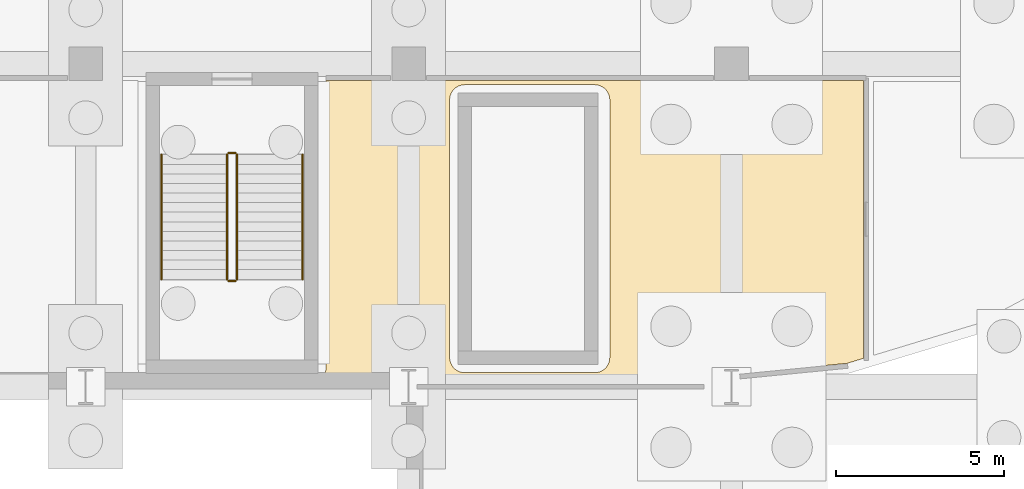
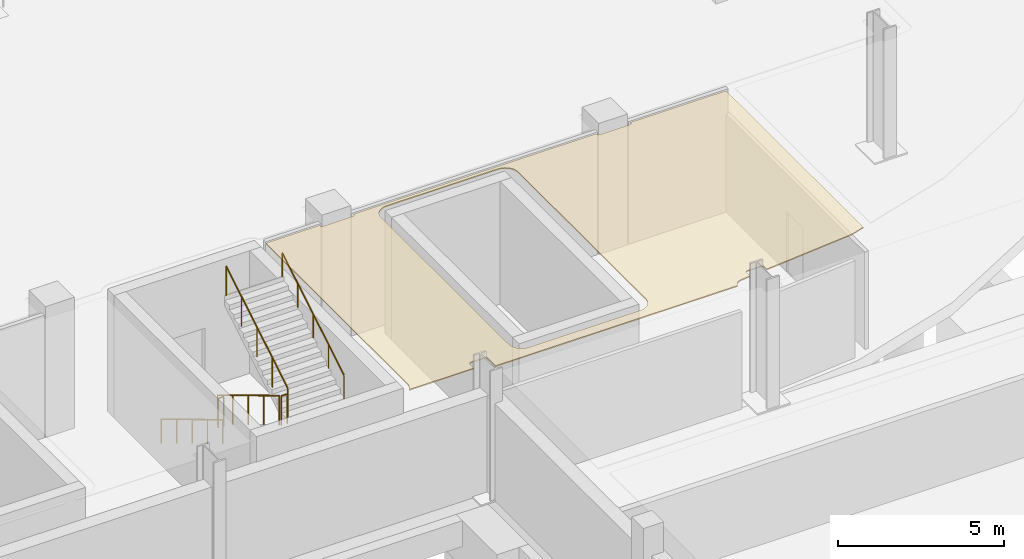
# One storey, part 55 of 67: 6 railings, 1 covering.
"""IFC4 building model written with IfcOpenShell, lengths in metres."""

from ifc_helpers import new_model, si_unit, direction, frame, origin, origin_2d, place, context, subcontext, project, spatial, polyline, circle, outline, extrude, material, layer, layer_set, type_object, element, save


model = new_model("IFC4")

# Units and contexts
model_context = context("Model", 3, precision=1e-05, world=origin(), true_north=direction((0.0, 1.0)))
body_context = subcontext(model_context, "Body", "Model", "MODEL_VIEW")
ifc_project = project(units=[si_unit("LENGTHUNIT", "METRE"), si_unit("AREAUNIT", "SQUARE_METRE"), si_unit("VOLUMEUNIT", "CUBIC_METRE"), si_unit("PLANEANGLEUNIT", "RADIAN"), si_unit("MASSUNIT", "GRAM", prefix="KILO")], contexts=[model_context])

# Site, building, storey
site_placement = place(None, origin())
site = spatial("IfcSite", under=ifc_project, at=site_placement, CompositionType="ELEMENT")
building_placement = place(site_placement, origin())
building = spatial("IfcBuilding", under=site, at=building_placement, Name="Caelomonte Colonnade Arena", CompositionType="ELEMENT")
storey_placement = place(building_placement, frame((0.0, 0.0, -4.800048828125)))
storey = spatial("IfcBuildingStorey", under=building, at=storey_placement, Name="B1", CompositionType="ELEMENT", Elevation=-4.800048828125)

# Covering
ifc_material_1 = material(Name="Perforated acoustic mineral-fibre ceiling")
ifc_layer = layer(ifc_material_1, 0.0400390625)
ifc_layer_set = layer_set([ifc_layer], Name="Perforated acoustic mineral-fibre ceiling")
covering_type = type_object("IfcCoveringType", Name="INT-CV-CEIL1", PredefinedType="CEILING", material=ifc_layer_set)
covering_placement = place(storey_placement, frame((0.0, 0.0, 4.420166015625)))
element("IfcCovering", 1, at=covering_placement, inside=storey, type_object=covering_type, Name="B1 Officials Locker Suite acoustic ceiling", PredefinedType="CEILING", context=body_context, shape_type="SweptSolid", body=[
    extrude(outline(polyline([(133.804931640625, 28.300048828125), (131.949951171875, 28.300048828125), (131.949951171875, 19.800048828125), (131.94775390625, 19.755859375), (131.94140625, 19.712158203125), (131.9306640625, 19.66943359375), (131.915771484375, 19.627685546875), (131.89697265625, 19.587890625), (131.874267578125, 19.550048828125), (131.847900390625, 19.514404296875), (131.834716796875, 19.5), (134.091552734375, 19.5), (134.091552734375, 19.735595703125), (134.091796875, 19.743408203125), (134.093017578125, 19.751220703125), (134.094970703125, 19.7587890625), (134.09765625, 19.766357421875), (134.100830078125, 19.7734375), (134.10498046875, 19.780029296875), (134.109619140625, 19.78662109375), (134.114990234375, 19.792236328125), (134.12060546875, 19.797607421875), (134.127197265625, 19.80224609375), (134.1337890625, 19.806396484375), (134.140869140625, 19.8095703125), (134.148193359375, 19.812255859375), (134.156005859375, 19.814208984375), (134.163818359375, 19.815185546875), (134.17138671875, 19.815673828125), (134.62841796875, 19.815673828125), (134.63623046875, 19.815185546875), (134.64404296875, 19.814208984375), (134.651611328125, 19.812255859375), (134.6591796875, 19.8095703125), (134.666259765625, 19.806396484375), (134.6728515625, 19.80224609375), (134.67919921875, 19.797607421875), (134.68505859375, 19.792236328125), (134.690185546875, 19.78662109375), (134.695068359375, 19.780029296875), (134.69921875, 19.7734375), (134.702392578125, 19.766357421875), (134.705078125, 19.7587890625), (134.70703125, 19.751220703125), (134.7080078125, 19.743408203125), (134.70849609375, 19.735595703125), (134.70849609375, 19.280029296875), (143.111083984375, 19.280029296875), (143.11181640625, 19.283203125), (143.114013671875, 19.290771484375), (143.121337890625, 19.31103515625), (143.12451171875, 19.318359375), (143.1337890625, 19.337890625), (143.137451171875, 19.3447265625), (143.1484375, 19.36328125), (143.15283203125, 19.369873046875), (143.165771484375, 19.38720703125), (143.170654296875, 19.393310546875), (143.185302734375, 19.4091796875), (143.190673828125, 19.414794921875), (143.206787109375, 19.42919921875), (143.212890625, 19.434326171875), (143.22998046875, 19.447265625), (143.236572265625, 19.451416015625), (143.255126953125, 19.462646484375), (143.26220703125, 19.46630859375), (143.281494140625, 19.4755859375), (143.288818359375, 19.478515625), (143.30908203125, 19.48583984375), (143.316650390625, 19.488037109375), (143.337646484375, 19.493408203125), (143.34521484375, 19.494873046875), (143.36669921875, 19.498046875), (143.37060546875, 19.49853515625), (143.69140625, 19.5302734375), (143.69140625, 19.735595703125), (143.69189453125, 19.743408203125), (143.693115234375, 19.751220703125), (143.69482421875, 19.7587890625), (143.697509765625, 19.766357421875), (143.700927734375, 19.7734375), (143.705078125, 19.780029296875), (143.709716796875, 19.78662109375), (143.71484375, 19.792236328125), (143.720703125, 19.797607421875), (143.72705078125, 19.80224609375), (143.73388671875, 19.806396484375), (143.740966796875, 19.8095703125), (143.748291015625, 19.812255859375), (143.755859375, 19.814208984375), (143.763671875, 19.815185546875), (143.771484375, 19.815673828125), (144.228515625, 19.815673828125), (144.236328125, 19.815185546875), (144.244140625, 19.814208984375), (144.251708984375, 19.812255859375), (144.259033203125, 19.8095703125), (144.26611328125, 19.806396484375), (144.27294921875, 19.80224609375), (144.279296875, 19.797607421875), (144.28515625, 19.792236328125), (144.290283203125, 19.78662109375), (144.294921875, 19.780029296875), (144.299072265625, 19.7734375), (144.302490234375, 19.766357421875), (144.30517578125, 19.7587890625), (144.306884765625, 19.751220703125), (144.30810546875, 19.743408203125), (144.30859375, 19.735595703125), (144.30859375, 19.5908203125), (147.43798828125, 19.899169921875), (147.919921875, 20.04541015625), (147.919921875, 28.300048828125), (144.594970703125, 28.300048828125), (144.594970703125, 28.284912109375), (144.594482421875, 28.277099609375), (144.593505859375, 28.269287109375), (144.591552734375, 28.26171875), (144.5888671875, 28.25439453125), (144.585693359375, 28.247314453125), (144.58154296875, 28.240478515625), (144.576904296875, 28.234130859375), (144.571533203125, 28.228515625), (144.56591796875, 28.22314453125), (144.559326171875, 28.218505859375), (144.552734375, 28.21435546875), (144.545654296875, 28.211181640625), (144.5380859375, 28.20849609375), (144.530517578125, 28.20654296875), (144.522705078125, 28.205322265625), (144.514892578125, 28.205078125), (143.485107421875, 28.205078125), (143.477294921875, 28.205322265625), (143.469482421875, 28.20654296875), (143.4619140625, 28.20849609375), (143.454345703125, 28.211181640625), (143.447265625, 28.21435546875), (143.440673828125, 28.218505859375), (143.43408203125, 28.22314453125), (143.428466796875, 28.228515625), (143.423095703125, 28.234130859375), (143.41845703125, 28.240478515625), (143.414306640625, 28.247314453125), (143.4111328125, 28.25439453125), (143.408447265625, 28.26171875), (143.406494140625, 28.269287109375), (143.405517578125, 28.277099609375), (143.405029296875, 28.284912109375), (143.405029296875, 28.300048828125), (134.9951171875, 28.300048828125), (134.9951171875, 28.284912109375), (134.99462890625, 28.277099609375), (134.993408203125, 28.269287109375), (134.99169921875, 28.26171875), (134.989013671875, 28.25439453125), (134.985595703125, 28.247314453125), (134.9814453125, 28.240478515625), (134.976806640625, 28.234130859375), (134.9716796875, 28.228515625), (134.9658203125, 28.22314453125), (134.95947265625, 28.218505859375), (134.95263671875, 28.21435546875), (134.945556640625, 28.211181640625), (134.938232421875, 28.20849609375), (134.9306640625, 28.20654296875), (134.9228515625, 28.205322265625), (134.9150390625, 28.205078125), (133.885009765625, 28.205078125), (133.877197265625, 28.205322265625), (133.869384765625, 28.20654296875), (133.86181640625, 28.20849609375), (133.8544921875, 28.211181640625), (133.847412109375, 28.21435546875), (133.840576171875, 28.218505859375), (133.834228515625, 28.22314453125), (133.828369140625, 28.228515625), (133.8232421875, 28.234130859375), (133.818603515625, 28.240478515625), (133.814453125, 28.247314453125), (133.81103515625, 28.25439453125), (133.808349609375, 28.26171875), (133.806396484375, 28.269287109375), (133.805419921875, 28.277099609375), (133.804931640625, 28.284912109375), (133.804931640625, 28.300048828125)]), holes=[polyline([(135.939453125, 19.639404296875), (135.897705078125, 19.654296875), (135.85791015625, 19.673095703125), (135.820068359375, 19.69580078125), (135.784423828125, 19.72216796875), (135.751708984375, 19.751708984375), (135.72216796875, 19.784423828125), (135.69580078125, 19.820068359375), (135.673095703125, 19.85791015625), (135.654296875, 19.897705078125), (135.639404296875, 19.939453125), (135.628662109375, 19.982177734375), (135.622314453125, 20.02587890625), (135.6201171875, 20.070068359375), (135.6201171875, 27.72998046875), (135.622314453125, 27.774169921875), (135.628662109375, 27.81787109375), (135.639404296875, 27.860595703125), (135.654296875, 27.902099609375), (135.673095703125, 27.942138671875), (135.69580078125, 27.97998046875), (135.72216796875, 28.015380859375), (135.751708984375, 28.048095703125), (135.784423828125, 28.077880859375), (135.820068359375, 28.104248046875), (135.85791015625, 28.126953125), (135.897705078125, 28.145751953125), (135.939453125, 28.16064453125), (135.982177734375, 28.17138671875), (136.02587890625, 28.177734375), (136.070068359375, 28.179931640625), (139.830078125, 28.179931640625), (139.929931640625, 28.179931640625), (139.97412109375, 28.177734375), (140.017822265625, 28.17138671875), (140.060546875, 28.16064453125), (140.102294921875, 28.145751953125), (140.14208984375, 28.126953125), (140.179931640625, 28.104248046875), (140.215576171875, 28.077880859375), (140.248291015625, 28.048095703125), (140.27783203125, 28.015380859375), (140.30419921875, 27.97998046875), (140.326904296875, 27.942138671875), (140.345703125, 27.902099609375), (140.360595703125, 27.860595703125), (140.371337890625, 27.81787109375), (140.377685546875, 27.774169921875), (140.3798828125, 27.72998046875), (140.3798828125, 20.070068359375), (140.377685546875, 20.02587890625), (140.371337890625, 19.982177734375), (140.360595703125, 19.939453125), (140.345703125, 19.897705078125), (140.326904296875, 19.85791015625), (140.30419921875, 19.820068359375), (140.27783203125, 19.784423828125), (140.248291015625, 19.751708984375), (140.215576171875, 19.72216796875), (140.179931640625, 19.69580078125), (140.14208984375, 19.673095703125), (140.102294921875, 19.654296875), (140.060546875, 19.639404296875), (140.017822265625, 19.628662109375), (139.97412109375, 19.622314453125), (139.929931640625, 19.6201171875), (139.830078125, 19.6201171875), (136.070068359375, 19.6201171875), (136.02587890625, 19.622314453125), (135.982177734375, 19.628662109375), (135.939453125, 19.639404296875)])]), origin(), (0.0, 0.0, 1.0), 0.039794921875),
])

# Railings
ifc_material_2 = material(Name="Painted galvanized steel stair guard", Category="steel")
railing_type_1 = type_object("IfcRailingType", Name="INT-RL-GRD", PredefinedType="GUARDRAIL", material=ifc_material_2)
railing_1_placement = place(storey_placement, frame((129.0, 26.10009765625, 0.17138671875)))
element("IfcRailing", 2, at=railing_1_placement, inside=storey, type_object=railing_type_1, Name="B1 ST-13 stair guard 1", PredefinedType="GUARDRAIL", context=body_context, shape_type="SweptSolid", body=[
    extrude(circle(Radius=0.02392578125, at=origin_2d()), frame((0.0, 0.0, 1.076171875), z_axis=(0.0, -0.856909459561, 0.515466951525), x_axis=(1.0, 0.0, 0.0)), (0.0, 0.0, 1.0), 4.32373046875),
    extrude(circle(Radius=0.02099609375, at=origin_2d()), origin(), (0.0, 0.0, 1.0), 1.048095703125),
    extrude(circle(Radius=0.02099609375, at=origin_2d()), frame((0.0, -0.92626953125, 0.55712890625)), (0.0, 0.0, 1.0), 1.048095703125),
    extrude(circle(Radius=0.02099609375, at=origin_2d()), frame((0.0, -1.8525390625, 1.1142578125)), (0.0, 0.0, 1.0), 1.048095703125),
    extrude(circle(Radius=0.02099609375, at=origin_2d()), frame((0.0, -2.77880859375, 1.671630859375)), (0.0, 0.0, 1.0), 1.048095703125),
    extrude(circle(Radius=0.02099609375, at=origin_2d()), frame((0.0, -3.705078125, 2.228759765625)), (0.0, 0.0, 1.0), 1.048095703125),
])
railing_2_placement = place(storey_placement, frame((129.050048828125, 22.344970703125, 2.400146484375)))
element("IfcRailing", 3, at=railing_2_placement, inside=storey, type_object=railing_type_1, Name="B1 ST-13 stair guard 2", PredefinedType="GUARDRAIL", context=body_context, shape_type="SweptSolid", body=[
    extrude(circle(Radius=0.02392578125, at=origin_2d()), frame((0.0, 0.0, 1.076171875), z_axis=(1.0, 0.0, 0.0), x_axis=(0.0, 1.0, 0.0)), (0.0, 0.0, 1.0), 0.199951171875),
    extrude(circle(Radius=0.02099609375, at=origin_2d()), origin(), (0.0, 0.0, 1.0), 1.048095703125),
    extrude(circle(Radius=0.02099609375, at=origin_2d()), frame((0.199951171875, 0.0, 0.0)), (0.0, 0.0, 1.0), 1.048095703125),
])
railing_3_placement = place(storey_placement, frame((129.300048828125, 22.39501953125, 2.571533203125)))
element("IfcRailing", 4, at=railing_3_placement, inside=storey, type_object=railing_type_1, Name="B1 ST-13 stair guard 3", PredefinedType="GUARDRAIL", context=body_context, shape_type="SweptSolid", body=[
    extrude(circle(Radius=0.02392578125, at=origin_2d()), frame((0.0, 0.0, 1.076171875), z_axis=(0.0, 0.856934400257, 0.515425487977), x_axis=(-1.0, 0.0, 0.0)), (0.0, 0.0, 1.0), 4.32373046875),
    extrude(circle(Radius=0.02099609375, at=origin_2d()), origin(), (0.0, 0.0, 1.0), 1.048095703125),
    extrude(circle(Radius=0.02099609375, at=origin_2d()), frame((0.0, 0.92626953125, 0.55712890625)), (0.0, 0.0, 1.0), 1.048095703125),
    extrude(circle(Radius=0.02099609375, at=origin_2d()), frame((0.0, 1.8525390625, 1.1142578125)), (0.0, 0.0, 1.0), 1.048095703125),
    extrude(circle(Radius=0.02099609375, at=origin_2d()), frame((0.0, 2.77880859375, 1.67138671875)), (0.0, 0.0, 1.0), 1.048095703125),
    extrude(circle(Radius=0.02099609375, at=origin_2d()), frame((0.0, 3.705078125, 2.228515625)), (0.0, 0.0, 1.0), 1.048095703125),
])
railing_4_placement = place(storey_placement, frame((129.050048828125, 26.14990234375, 0.0)))
element("IfcRailing", 5, at=railing_4_placement, inside=storey, type_object=railing_type_1, Name="B1 ST-13 stair guard 4", PredefinedType="GUARDRAIL", context=body_context, shape_type="SweptSolid", body=[
    extrude(circle(Radius=0.02392578125, at=origin_2d()), frame((0.0, 0.0, 1.076171875), z_axis=(1.0, 0.0, 0.0), x_axis=(0.0, 1.0, 0.0)), (0.0, 0.0, 1.0), 0.199951171875),
    extrude(circle(Radius=0.02099609375, at=origin_2d()), origin(), (0.0, 0.0, 1.0), 1.048095703125),
    extrude(circle(Radius=0.02099609375, at=origin_2d()), frame((0.199951171875, 0.0, 0.0)), (0.0, 0.0, 1.0), 1.048095703125),
])
ifc_material_3 = material(Name="Brushed stainless steel stair handrail", Category="steel")
railing_type_2 = type_object("IfcRailingType", Name="INT-RL-HR", PredefinedType="HANDRAIL", material=ifc_material_3)
railing_5_placement = place(storey_placement, frame((127.050048828125, 26.10009765625, 0.17138671875)))
element("IfcRailing", 6, at=railing_5_placement, inside=storey, type_object=railing_type_2, Name="B1 ST-13 stair handrail 1", PredefinedType="HANDRAIL", context=body_context, shape_type="SweptSolid", body=[
    extrude(circle(Radius=0.02392578125, at=origin_2d()), frame((0.0, 0.0, 0.8759765625), z_axis=(0.0, -0.856909459561, 0.515466951525), x_axis=(1.0, 0.0, 0.0)), (0.0, 0.0, 1.0), 4.32373046875),
    extrude(circle(Radius=0.02099609375, at=origin_2d()), origin(), (0.0, 0.0, 1.0), 0.847900390625),
    extrude(circle(Radius=0.02099609375, at=origin_2d()), frame((0.0, -0.92626953125, 0.55712890625)), (0.0, 0.0, 1.0), 0.847900390625),
    extrude(circle(Radius=0.02099609375, at=origin_2d()), frame((0.0, -1.8525390625, 1.1142578125)), (0.0, 0.0, 1.0), 0.847900390625),
    extrude(circle(Radius=0.02099609375, at=origin_2d()), frame((0.0, -2.77880859375, 1.671630859375)), (0.0, 0.0, 1.0), 0.847900390625),
    extrude(circle(Radius=0.02099609375, at=origin_2d()), frame((0.0, -3.705078125, 2.228759765625)), (0.0, 0.0, 1.0), 0.847900390625),
])
railing_6_placement = place(storey_placement, frame((131.25, 22.39501953125, 2.571533203125)))
element("IfcRailing", 7, at=railing_6_placement, inside=storey, type_object=railing_type_2, Name="B1 ST-13 stair handrail 2", PredefinedType="HANDRAIL", context=body_context, shape_type="SweptSolid", body=[
    extrude(circle(Radius=0.02392578125, at=origin_2d()), frame((0.0, 0.0, 0.8759765625), z_axis=(0.0, 0.856934400257, 0.515425487977), x_axis=(-1.0, 0.0, 0.0)), (0.0, 0.0, 1.0), 4.32373046875),
    extrude(circle(Radius=0.02099609375, at=origin_2d()), origin(), (0.0, 0.0, 1.0), 0.847900390625),
    extrude(circle(Radius=0.02099609375, at=origin_2d()), frame((0.0, 0.92626953125, 0.55712890625)), (0.0, 0.0, 1.0), 0.847900390625),
    extrude(circle(Radius=0.02099609375, at=origin_2d()), frame((0.0, 1.8525390625, 1.1142578125)), (0.0, 0.0, 1.0), 0.847900390625),
    extrude(circle(Radius=0.02099609375, at=origin_2d()), frame((0.0, 2.77880859375, 1.67138671875)), (0.0, 0.0, 1.0), 0.847900390625),
    extrude(circle(Radius=0.02099609375, at=origin_2d()), frame((0.0, 3.705078125, 2.228515625)), (0.0, 0.0, 1.0), 0.847900390625),
])

save(model, "model.ifc")
